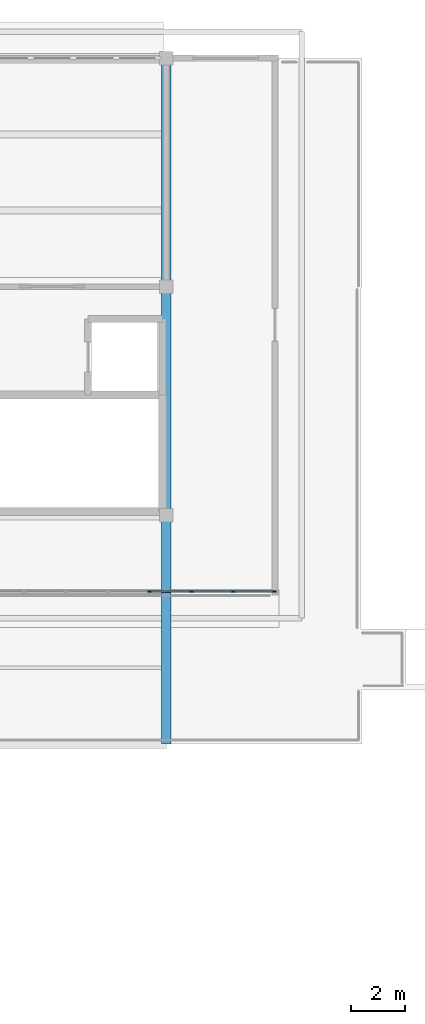
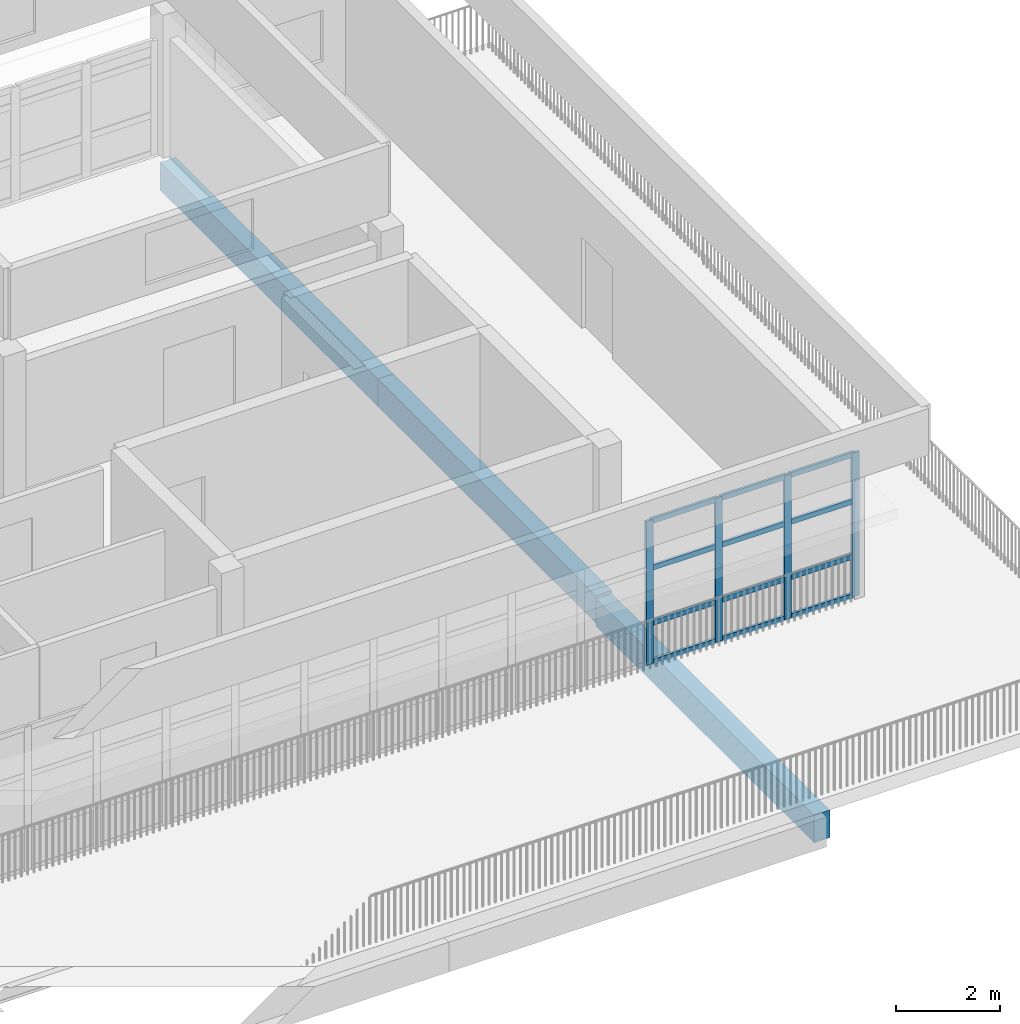
# One storey, part 4 of 14: 16 members, 3 beams, 1 element without a shape of its own.
"""IFC4 building model written with IfcOpenShell, lengths in metres."""

from ifc_helpers import new_model, si_unit, direction, frame, origin, origin_2d, place, context, subcontext, project, spatial, rectangle, extrude, material, material_profile, profile_set, type_object, element, aggregate, save


model = new_model("IFC4")

# Units and contexts
model_context = context("Model", 3, precision=1e-05, world=origin(), true_north=direction((0.0, 1.0)))
body_context = subcontext(model_context, "Body", "Model", "MODEL_VIEW")
ifc_project = project(units=[si_unit("LENGTHUNIT", "METRE"), si_unit("AREAUNIT", "SQUARE_METRE"), si_unit("VOLUMEUNIT", "CUBIC_METRE"), si_unit("PLANEANGLEUNIT", "RADIAN"), si_unit("MASSUNIT", "GRAM", prefix="KILO")], contexts=[model_context])

# Site, building, storey
site_placement = place(None, origin())
site = spatial("IfcSite", under=ifc_project, at=site_placement, CompositionType="ELEMENT")
building_placement = place(site_placement, origin())
building = spatial("IfcBuilding", under=site, at=building_placement, Name="Vanh Quang Courtyard School", CompositionType="ELEMENT")
storey_placement = place(building_placement, frame((0.0, 0.0, 22.199951171875)))
storey = spatial("IfcBuildingStorey", under=building, at=storey_placement, Name="L06", CompositionType="ELEMENT", Elevation=22.199951171875)

# Beams
ifc_material_1 = material(Name="Concrete C35/45", Category="concrete")
ifc_material_profile_1 = material_profile(ifc_material_1, rectangle(XDim=0.35009765625, YDim=0.64990234375, at=origin_2d()), Name="RC-BM 350x650")
ifc_profile_set_1 = profile_set([ifc_material_profile_1], Name="Concrete C35/45")
beam_type = type_object("IfcBeamType", Name="BM-RC-350x650", PredefinedType="BEAM", material=ifc_profile_set_1)
beam_1_placement = place(storey_placement, frame((102.60009765625, 71.39990234375, -0.64501953125), z_axis=(0.0, 1.0, 0.0), x_axis=(-1.0, 0.0, 0.0)))
element("IfcBeam", 1, at=beam_1_placement, inside=storey, type_object=beam_type, Name="Beam B-05 (L06)", PredefinedType="BEAM", context=body_context, shape_type="SweptSolid", body=[
    extrude(rectangle(XDim=0.35009765625, YDim=0.64990234375, at=origin_2d()), origin(), (0.0, 0.0, 1.0), 8.400146484375),
])
beam_2_placement = place(storey_placement, frame((102.60009765625, 79.800048828125, -0.574951171875), z_axis=(0.0, 1.0, 0.0), x_axis=(-1.0, 0.0, 0.0)))
element("IfcBeam", 2, at=beam_2_placement, inside=storey, type_object=beam_type, Name="Beam B-05 (L06)", PredefinedType="BEAM", context=body_context, shape_type="SweptSolid", body=[
    extrude(rectangle(XDim=0.35009765625, YDim=0.64990234375, at=origin_2d()), origin(), (0.0, 0.0, 1.0), 8.39990234375),
])
beam_3_placement = place(storey_placement, frame((102.60009765625, 88.199951171875, -0.574951171875), z_axis=(0.0, 1.0, 0.0), x_axis=(-1.0, 0.0, 0.0)))
element("IfcBeam", 3, at=beam_3_placement, inside=storey, type_object=beam_type, Name="Beam B-05 (L06)", PredefinedType="BEAM", context=body_context, shape_type="SweptSolid", body=[
    extrude(rectangle(XDim=0.35009765625, YDim=0.64990234375, at=origin_2d()), origin(), (0.0, 0.0, 1.0), 8.400146484375),
])

# Curtain wall, members
ifc_material_2 = material(Name="Thermally broken aluminium unitised curtain wall", Category="aluminium")
curtain_wall_type = type_object("IfcCurtainWallType", Name="CW-SYS-69", PredefinedType="NOTDEFINED", material=ifc_material_2)
curtain_wall_placement = place(storey_placement, origin())
curtain_wall = element("IfcCurtainWall", 4, at=curtain_wall_placement, inside=storey, type_object=curtain_wall_type, Name="Curtain Wall CW-69 (L06)", PredefinedType="NOTDEFINED")
ifc_material_3 = material(Name="Anodised aluminium 6063-T6", Category="aluminium")
ifc_material_profile_2 = material_profile(ifc_material_3, rectangle(XDim=0.06005859375, YDim=0.159912109375, at=origin_2d()), Name="ALU-MUL 60x160")
ifc_profile_set_2 = profile_set([ifc_material_profile_2], Name="Anodised aluminium 6063-T6")
member_type_1 = type_object("IfcMemberType", Name="CW-MUL-60x160", PredefinedType="MULLION", material=ifc_profile_set_2)
member_1_placement = place(storey_placement, frame((106.570068359375, 77.0, 0.0), z_axis=(0.0, 0.0, 1.0), x_axis=(0.0, -1.0, 0.0)))
member_1 = element("IfcMember", 5, at=member_1_placement, type_object=member_type_1, Name="CW-69 mullion 1", PredefinedType="MULLION", context=body_context, shape_type="SweptSolid", body=[
    extrude(rectangle(XDim=0.06005859375, YDim=0.159912109375, at=origin_2d()), origin(), (0.0, 0.0, 1.0), 3.380126953125),
])
member_2_placement = place(storey_placement, frame((105.063232421875, 77.0, 0.0), z_axis=(0.0, 0.0, 1.0), x_axis=(0.0, -1.0, 0.0)))
member_2 = element("IfcMember", 6, at=member_2_placement, type_object=member_type_1, Name="CW-69 mullion 2", PredefinedType="MULLION", context=body_context, shape_type="SweptSolid", body=[
    extrude(rectangle(XDim=0.06005859375, YDim=0.159912109375, at=origin_2d()), origin(), (0.0, 0.0, 1.0), 3.380126953125),
])
member_3_placement = place(storey_placement, frame((103.5263671875, 77.0, 0.0), z_axis=(0.0, 0.0, 1.0), x_axis=(0.0, -1.0, 0.0)))
member_3 = element("IfcMember", 7, at=member_3_placement, type_object=member_type_1, Name="CW-69 mullion 3", PredefinedType="MULLION", context=body_context, shape_type="SweptSolid", body=[
    extrude(rectangle(XDim=0.06005859375, YDim=0.159912109375, at=origin_2d()), origin(), (0.0, 0.0, 1.0), 3.380126953125),
])
member_4_placement = place(storey_placement, frame((101.989501953125, 77.0, 0.0), z_axis=(0.0, 0.0, 1.0), x_axis=(0.0, -1.0, 0.0)))
member_4 = element("IfcMember", 8, at=member_4_placement, type_object=member_type_1, Name="CW-69 mullion 4", PredefinedType="MULLION", context=body_context, shape_type="SweptSolid", body=[
    extrude(rectangle(XDim=0.06005859375, YDim=0.159912109375, at=origin_2d()), origin(), (0.0, 0.0, 1.0), 3.380126953125),
])
ifc_material_profile_3 = material_profile(ifc_material_3, rectangle(XDim=0.06005859375, YDim=0.1201171875, at=origin_2d()), Name="ALU-TRN 60x120")
ifc_profile_set_3 = profile_set([ifc_material_profile_3], Name="Anodised aluminium 6063-T6")
member_type_2 = type_object("IfcMemberType", Name="CW-TRN-60x120", PredefinedType="USERDEFINED", material=ifc_profile_set_3)
member_5_placement = place(storey_placement, frame((106.5400390625, 77.0, 0.030029296875), z_axis=(-1.0, 0.0, 0.0), x_axis=(0.0, -1.0, 0.0)))
member_5 = element("IfcMember", 9, at=member_5_placement, type_object=member_type_2, Name="CW-69 transom 1.1", ObjectType="TRANSOM", PredefinedType="USERDEFINED", context=body_context, shape_type="SweptSolid", body=[
    extrude(rectangle(XDim=0.06005859375, YDim=0.1201171875, at=origin_2d()), origin(), (0.0, 0.0, 1.0), 1.44677734375),
])
member_6_placement = place(storey_placement, frame((106.5400390625, 77.0, 0.949951171875), z_axis=(-1.0, 0.0, 0.0), x_axis=(0.0, -1.0, 0.0)))
member_6 = element("IfcMember", 10, at=member_6_placement, type_object=member_type_2, Name="CW-69 transom 1.2", ObjectType="TRANSOM", PredefinedType="USERDEFINED", context=body_context, shape_type="SweptSolid", body=[
    extrude(rectangle(XDim=0.06005859375, YDim=0.1201171875, at=origin_2d()), origin(), (0.0, 0.0, 1.0), 1.44677734375),
])
member_7_placement = place(storey_placement, frame((106.5400390625, 77.0, 2.25), z_axis=(-1.0, 0.0, 0.0), x_axis=(0.0, -1.0, 0.0)))
member_7 = element("IfcMember", 11, at=member_7_placement, type_object=member_type_2, Name="CW-69 transom 1.3", ObjectType="TRANSOM", PredefinedType="USERDEFINED", context=body_context, shape_type="SweptSolid", body=[
    extrude(rectangle(XDim=0.06005859375, YDim=0.1201171875, at=origin_2d()), origin(), (0.0, 0.0, 1.0), 1.44677734375),
])
member_8_placement = place(storey_placement, frame((106.5400390625, 77.0, 3.35009765625), z_axis=(-1.0, 0.0, 0.0), x_axis=(0.0, -1.0, 0.0)))
member_8 = element("IfcMember", 12, at=member_8_placement, type_object=member_type_2, Name="CW-69 transom 1.4", ObjectType="TRANSOM", PredefinedType="USERDEFINED", context=body_context, shape_type="SweptSolid", body=[
    extrude(rectangle(XDim=0.06005859375, YDim=0.1201171875, at=origin_2d()), origin(), (0.0, 0.0, 1.0), 1.44677734375),
])
member_9_placement = place(storey_placement, frame((105.033203125, 77.0, 0.030029296875), z_axis=(-1.0, 0.0, 0.0), x_axis=(0.0, -1.0, 0.0)))
member_9 = element("IfcMember", 13, at=member_9_placement, type_object=member_type_2, Name="CW-69 transom 2.1", ObjectType="TRANSOM", PredefinedType="USERDEFINED", context=body_context, shape_type="SweptSolid", body=[
    extrude(rectangle(XDim=0.06005859375, YDim=0.1201171875, at=origin_2d()), origin(), (0.0, 0.0, 1.0), 1.476806640625),
])
member_10_placement = place(storey_placement, frame((105.033203125, 77.0, 0.949951171875), z_axis=(-1.0, 0.0, 0.0), x_axis=(0.0, -1.0, 0.0)))
member_10 = element("IfcMember", 14, at=member_10_placement, type_object=member_type_2, Name="CW-69 transom 2.2", ObjectType="TRANSOM", PredefinedType="USERDEFINED", context=body_context, shape_type="SweptSolid", body=[
    extrude(rectangle(XDim=0.06005859375, YDim=0.1201171875, at=origin_2d()), origin(), (0.0, 0.0, 1.0), 1.476806640625),
])
member_11_placement = place(storey_placement, frame((105.033203125, 77.0, 2.25), z_axis=(-1.0, 0.0, 0.0), x_axis=(0.0, -1.0, 0.0)))
member_11 = element("IfcMember", 15, at=member_11_placement, type_object=member_type_2, Name="CW-69 transom 2.3", ObjectType="TRANSOM", PredefinedType="USERDEFINED", context=body_context, shape_type="SweptSolid", body=[
    extrude(rectangle(XDim=0.06005859375, YDim=0.1201171875, at=origin_2d()), origin(), (0.0, 0.0, 1.0), 1.476806640625),
])
member_12_placement = place(storey_placement, frame((105.033203125, 77.0, 3.35009765625), z_axis=(-1.0, 0.0, 0.0), x_axis=(0.0, -1.0, 0.0)))
member_12 = element("IfcMember", 16, at=member_12_placement, type_object=member_type_2, Name="CW-69 transom 2.4", ObjectType="TRANSOM", PredefinedType="USERDEFINED", context=body_context, shape_type="SweptSolid", body=[
    extrude(rectangle(XDim=0.06005859375, YDim=0.1201171875, at=origin_2d()), origin(), (0.0, 0.0, 1.0), 1.476806640625),
])
member_13_placement = place(storey_placement, frame((103.496337890625, 77.0, 0.030029296875), z_axis=(-1.0, 0.0, 0.0), x_axis=(0.0, -1.0, 0.0)))
member_13 = element("IfcMember", 17, at=member_13_placement, type_object=member_type_2, Name="CW-69 transom 3.1", ObjectType="TRANSOM", PredefinedType="USERDEFINED", context=body_context, shape_type="SweptSolid", body=[
    extrude(rectangle(XDim=0.06005859375, YDim=0.1201171875, at=origin_2d()), origin(), (0.0, 0.0, 1.0), 1.476806640625),
])
member_14_placement = place(storey_placement, frame((103.496337890625, 77.0, 0.949951171875), z_axis=(-1.0, 0.0, 0.0), x_axis=(0.0, -1.0, 0.0)))
member_14 = element("IfcMember", 18, at=member_14_placement, type_object=member_type_2, Name="CW-69 transom 3.2", ObjectType="TRANSOM", PredefinedType="USERDEFINED", context=body_context, shape_type="SweptSolid", body=[
    extrude(rectangle(XDim=0.06005859375, YDim=0.1201171875, at=origin_2d()), origin(), (0.0, 0.0, 1.0), 1.476806640625),
])
member_15_placement = place(storey_placement, frame((103.496337890625, 77.0, 2.25), z_axis=(-1.0, 0.0, 0.0), x_axis=(0.0, -1.0, 0.0)))
member_15 = element("IfcMember", 19, at=member_15_placement, type_object=member_type_2, Name="CW-69 transom 3.3", ObjectType="TRANSOM", PredefinedType="USERDEFINED", context=body_context, shape_type="SweptSolid", body=[
    extrude(rectangle(XDim=0.06005859375, YDim=0.1201171875, at=origin_2d()), origin(), (0.0, 0.0, 1.0), 1.476806640625),
])
member_16_placement = place(storey_placement, frame((103.496337890625, 77.0, 3.35009765625), z_axis=(-1.0, 0.0, 0.0), x_axis=(0.0, -1.0, 0.0)))
member_16 = element("IfcMember", 20, at=member_16_placement, type_object=member_type_2, Name="CW-69 transom 3.4", ObjectType="TRANSOM", PredefinedType="USERDEFINED", context=body_context, shape_type="SweptSolid", body=[
    extrude(rectangle(XDim=0.06005859375, YDim=0.1201171875, at=origin_2d()), origin(), (0.0, 0.0, 1.0), 1.476806640625),
])
aggregate(curtain_wall, [member_1, member_2, member_3, member_4, member_5, member_6, member_7, member_8, member_9, member_10, member_11, member_12, member_13, member_14, member_15, member_16])

save(model, "model.ifc")
